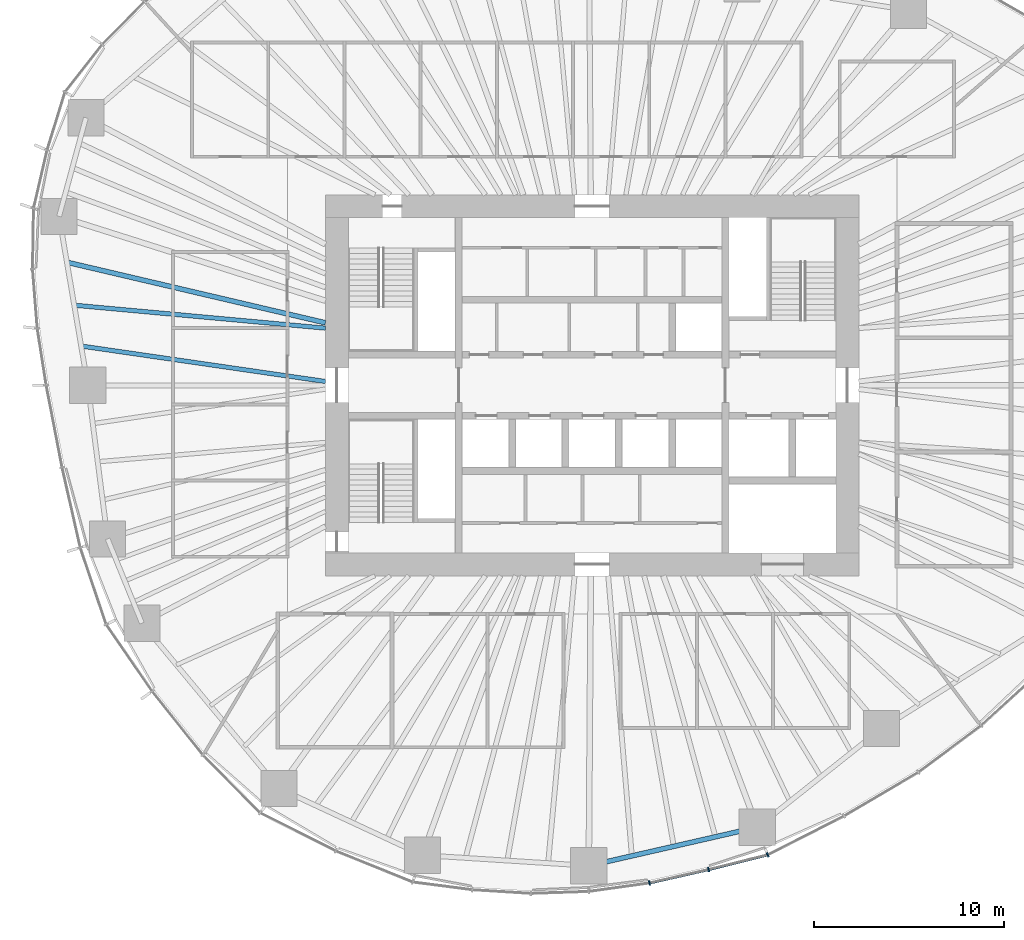
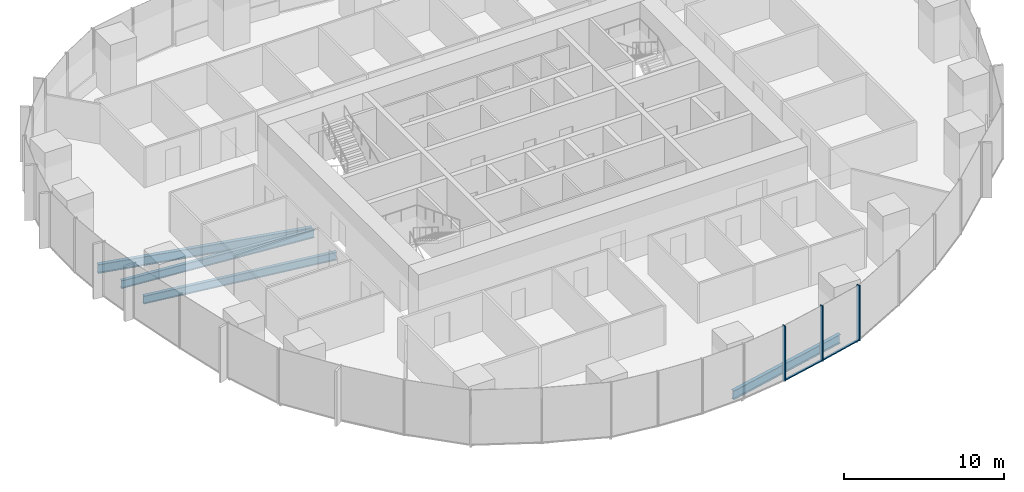
# One storey, part 3 of 20: 5 members, 4 beams, 2 elements without a shape of their own.
"""IFC4 building model written with IfcOpenShell, lengths in metres."""

from ifc_helpers import new_model, si_unit, direction, frame, origin, origin_2d, place, context, subcontext, project, spatial, rectangle, i_section, extrude, material, material_profile, profile_set, type_object, element, aggregate, save


model = new_model("IFC4")

# Units and contexts
model_context = context("Model", 3, precision=1e-05, world=origin(), true_north=direction((0.0, 1.0)))
body_context = subcontext(model_context, "Body", "Model", "MODEL_VIEW")
ifc_project = project(units=[si_unit("LENGTHUNIT", "METRE"), si_unit("AREAUNIT", "SQUARE_METRE"), si_unit("VOLUMEUNIT", "CUBIC_METRE"), si_unit("PLANEANGLEUNIT", "RADIAN"), si_unit("MASSUNIT", "GRAM", prefix="KILO")], contexts=[model_context])

# Site, building, storey
site_placement = place(None, origin())
site = spatial("IfcSite", under=ifc_project, at=site_placement, CompositionType="ELEMENT")
building_placement = place(site_placement, origin())
building = spatial("IfcBuilding", under=site, at=building_placement, Name="Ghaith Harvest Tower", CompositionType="ELEMENT")
storey_placement = place(building_placement, frame((0.0, 0.0, 109.199951171875)))
storey = spatial("IfcBuildingStorey", under=building, at=storey_placement, Name="L22", CompositionType="ELEMENT", Elevation=109.199951171875)

# Curtain wall, members
ifc_material_1 = material(Name="Black anodised aluminium and fritted glass", Category="aluminium")
curtain_wall_type = type_object("IfcCurtainWallType", Name="CW-L CURTAIN WALL", PredefinedType="NOTDEFINED", material=ifc_material_1)
curtain_wall_1_placement = place(storey_placement, origin())
curtain_wall_1 = element("IfcCurtainWall", 1, at=curtain_wall_1_placement, inside=storey, type_object=curtain_wall_type, Name="Curtain wall CW-L bay 16 L22", PredefinedType="NOTDEFINED")
ifc_material_2 = material(Name="Aluminium, black anodised", Category="aluminium")
ifc_material_profile_1 = material_profile(ifc_material_2, rectangle(XDim=0.080078125, YDim=0.239990234375, at=origin_2d()), Name="CW-L MULLION 80x240")
ifc_profile_set_1 = profile_set([ifc_material_profile_1], Name="Aluminium, black anodised")
member_type_1 = type_object("IfcMemberType", Name="CW-L MULLION 80x240", PredefinedType="MULLION", material=ifc_profile_set_1)
member_1_placement = place(storey_placement, frame((3.010009765625, -26.12939453125, 0.0), z_axis=(0.0, 0.0, 1.0), x_axis=(0.983806317978, 0.179234842337, 0.0)))
member_1 = element("IfcMember", 2, at=member_1_placement, type_object=member_type_1, Name="CW-L mullion 2 bay 16 L22", PredefinedType="MULLION", context=body_context, shape_type="SweptSolid", body=[
    extrude(rectangle(XDim=0.080078125, YDim=0.239990234375, at=origin_2d()), origin(), (0.0, 0.0, 1.0), 4.199951171875),
])
member_2_placement = place(storey_placement, frame((6.1201171875, -25.425537109375, 0.0), z_axis=(0.0, 0.0, 1.0), x_axis=(0.972918144681, 0.231149916179, 0.0)))
member_2 = element("IfcMember", 3, at=member_2_placement, type_object=member_type_1, Name="CW-L mullion 3 bay 16 L22", PredefinedType="MULLION", context=body_context, shape_type="SweptSolid", body=[
    extrude(rectangle(XDim=0.080078125, YDim=0.239990234375, at=origin_2d()), origin(), (0.0, 0.0, 1.0), 4.199951171875),
])

# Curtain wall, member
curtain_wall_2_placement = place(storey_placement, origin())
curtain_wall_2 = element("IfcCurtainWall", 4, at=curtain_wall_2_placement, inside=storey, type_object=curtain_wall_type, Name="Curtain wall CW-L bay 17 L22", PredefinedType="NOTDEFINED")
member_3_placement = place(storey_placement, frame((9.216796875, -24.654541015625, 0.0), z_axis=(0.0, 0.0, 1.0), x_axis=(0.929831847154, 0.367984695358, 0.0)))
member_3 = element("IfcMember", 5, at=member_3_placement, type_object=member_type_1, Name="CW-L mullion 1 bay 17 L22", PredefinedType="MULLION", context=body_context, shape_type="SweptSolid", body=[
    extrude(rectangle(XDim=0.080078125, YDim=0.239990234375, at=origin_2d()), origin(), (0.0, 0.0, 1.0), 4.199951171875),
])
aggregate(curtain_wall_2, [member_3])

# Member
ifc_material_3 = material(Name="Aluminium, black anodised", Category="aluminium")
ifc_material_profile_2 = material_profile(ifc_material_3, rectangle(XDim=0.14990234375, YDim=0.080078125, at=origin_2d()), Name="CW-L TRANSOM 150x80")
ifc_profile_set_2 = profile_set([ifc_material_profile_2], Name="Aluminium, black anodised")
member_type_2 = type_object("IfcMemberType", Name="CW-L TRANSOM 150x80", PredefinedType="USERDEFINED", material=ifc_profile_set_2)
member_4_placement = place(storey_placement, frame((3.048828125, -26.120361328125, 0.0400390625), z_axis=(0.975352213651, 0.22065370907, 0.0), x_axis=(-0.22065370907, 0.975352213651, 0.0)))
member_4 = element("IfcMember", 6, at=member_4_placement, type_object=member_type_2, Name="CW-L transom 2 bay 16 L22", ObjectType="TRANSOM", PredefinedType="USERDEFINED", context=body_context, shape_type="SweptSolid", body=[
    extrude(rectangle(XDim=0.14990234375, YDim=0.080078125, at=origin_2d()), origin(), (0.0, 0.0, 1.0), 3.109130859375),
])

member_5_placement = place(storey_placement, frame((6.158935546875, -25.415771484375, 0.0400390625), z_axis=(0.97039125345, 0.241538434265, 0.0), x_axis=(-0.241538434265, 0.97039125345, 0.0)))
member_5 = element("IfcMember", 7, at=member_5_placement, type_object=member_type_2, Name="CW-L transom 3 bay 16 L22", ObjectType="TRANSOM", PredefinedType="USERDEFINED", context=body_context, shape_type="SweptSolid", body=[
    extrude(rectangle(XDim=0.14990234375, YDim=0.080078125, at=origin_2d()), origin(), (0.0, 0.0, 1.0), 3.111083984375),
])

aggregate(curtain_wall_1, [member_1, member_4, member_2, member_5])

# Beams
ifc_material_4 = material(Name="Steel ASTM A992 Grade 50", Category="steel")
ifc_material_profile_3 = material_profile(ifc_material_4, i_section(OverallWidth=0.25390625, OverallDepth=0.68408203125, WebThickness=0.012451171875, FlangeThickness=0.018798828125, at=origin_2d()), Name="W690X140")
ifc_profile_set_3 = profile_set([ifc_material_profile_3], Name="Steel ASTM A992 Grade 50")
beam_type_1 = type_object("IfcBeamType", Name="E690-140 W690X140", PredefinedType="SPANDREL", material=ifc_profile_set_3)
beam_1_placement = place(storey_placement, frame((-0.173095703125, -25.22412109375, -0.511962890625), z_axis=(0.974881709383, 0.22272326486, 0.0), x_axis=(-0.22272326486, 0.974881709383, 0.0)))
element("IfcBeam", 8, at=beam_1_placement, inside=storey, type_object=beam_type_1, Name="Edge beam E16 L22", PredefinedType="SPANDREL", context=body_context, shape_type="SweptSolid", body=[
    extrude(i_section(OverallWidth=0.25390625, OverallDepth=0.68408203125, WebThickness=0.012451171875, FlangeThickness=0.018798828125, at=origin_2d()), origin(), (0.0, 0.0, 1.0), 9.0751953125),
])
ifc_material_5 = material(Name="Steel ASTM A992 Grade 50", Category="steel")
ifc_material_profile_4 = material_profile(ifc_material_5, i_section(OverallWidth=0.22900390625, OverallDepth=0.612060546875, WebThickness=0.011962890625, FlangeThickness=0.01953125, at=origin_2d()), Name="W610X125")
ifc_profile_set_4 = profile_set([ifc_material_profile_4], Name="Steel ASTM A992 Grade 50")
beam_type_2 = type_object("IfcBeamType", Name="J610-125 W610X125", PredefinedType="JOIST", material=ifc_profile_set_4)
beam_2_placement = place(storey_placement, frame((-14.0, 3.0, -0.475830078125), z_axis=(-0.995849123151, 0.091019360137, 0.0), x_axis=(-0.091019360137, -0.995849123151, 0.0)))
element("IfcBeam", 9, at=beam_2_placement, inside=storey, type_object=beam_type_2, Name="Joist J10.2 L22", PredefinedType="JOIST", context=body_context, shape_type="SweptSolid", body=[
    extrude(i_section(OverallWidth=0.22900390625, OverallDepth=0.612060546875, WebThickness=0.011962890625, FlangeThickness=0.01953125, at=origin_2d()), origin(), (0.0, 0.0, 1.0), 13.2451171875),
])
beam_3_placement = place(storey_placement, frame((-14.0, 0.199951171875, -0.475830078125), z_axis=(-0.989622120656, 0.143694322465, 0.0), x_axis=(-0.143694322465, -0.989622120656, 0.0)))
element("IfcBeam", 10, at=beam_3_placement, inside=storey, type_object=beam_type_2, Name="Joist J10.3 L22", PredefinedType="JOIST", context=body_context, shape_type="SweptSolid", body=[
    extrude(i_section(OverallWidth=0.22900390625, OverallDepth=0.612060546875, WebThickness=0.011962890625, FlangeThickness=0.01953125, at=origin_2d()), origin(), (0.0, 0.0, 1.0), 12.960205078125),
])
ifc_material_6 = material(Name="Steel ASTM A992 Grade 50", Category="steel")
ifc_material_profile_5 = material_profile(ifc_material_6, i_section(OverallWidth=0.25390625, OverallDepth=0.68408203125, WebThickness=0.012451171875, FlangeThickness=0.018798828125, at=origin_2d()), Name="W690X140")
ifc_profile_set_5 = profile_set([ifc_material_profile_5], Name="Steel ASTM A992 Grade 50")
beam_type_3 = type_object("IfcBeamType", Name="J690-140 W690X140", PredefinedType="JOIST", material=ifc_profile_set_5)
beam_4_placement = place(storey_placement, frame((-14.0, 3.280517578125, -0.511962890625), z_axis=(-0.973623240284, 0.228161753978, 0.0), x_axis=(-0.228161753978, -0.973623240284, 0.0)))
element("IfcBeam", 11, at=beam_4_placement, inside=storey, type_object=beam_type_3, Name="Joist J10.1 L22", PredefinedType="JOIST", context=body_context, shape_type="SweptSolid", body=[
    extrude(i_section(OverallWidth=0.25390625, OverallDepth=0.68408203125, WebThickness=0.012451171875, FlangeThickness=0.018798828125, at=origin_2d()), origin(), (0.0, 0.0, 1.0), 13.94140625),
])

save(model, "model.ifc")
